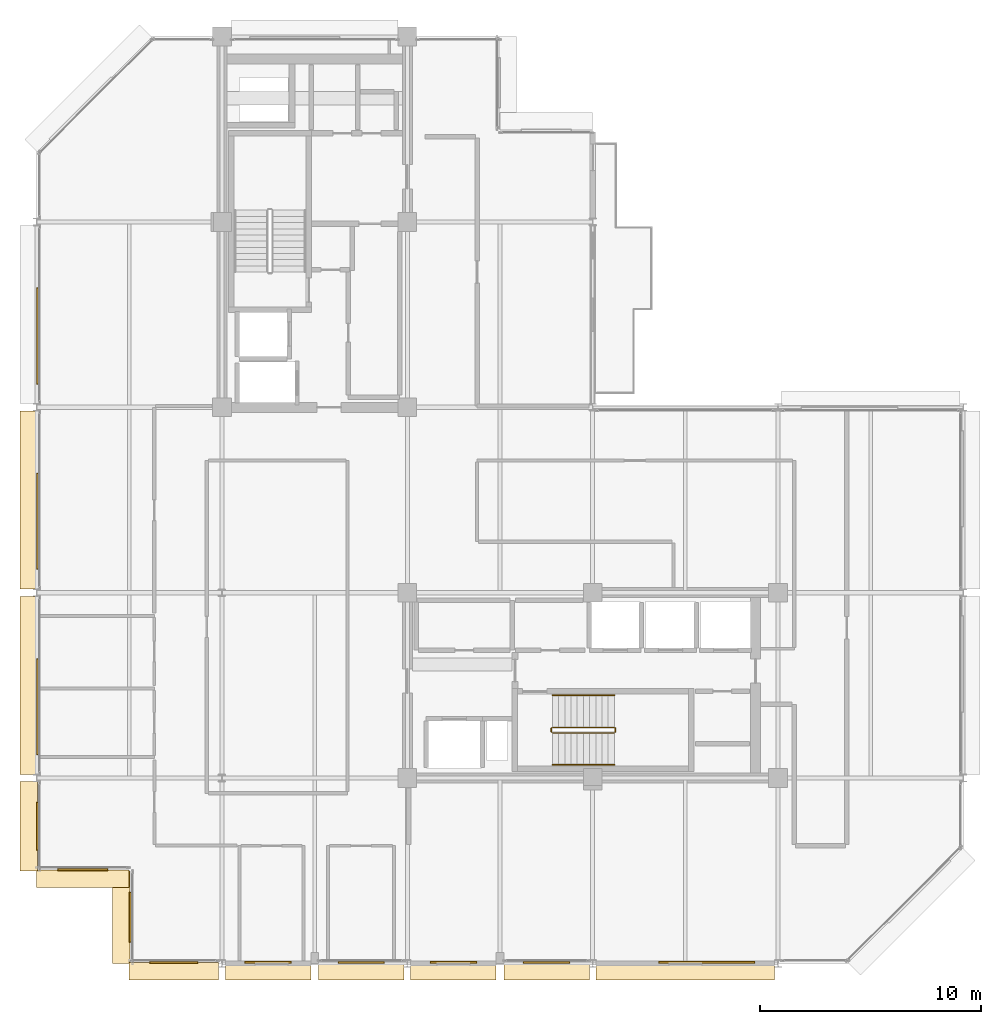
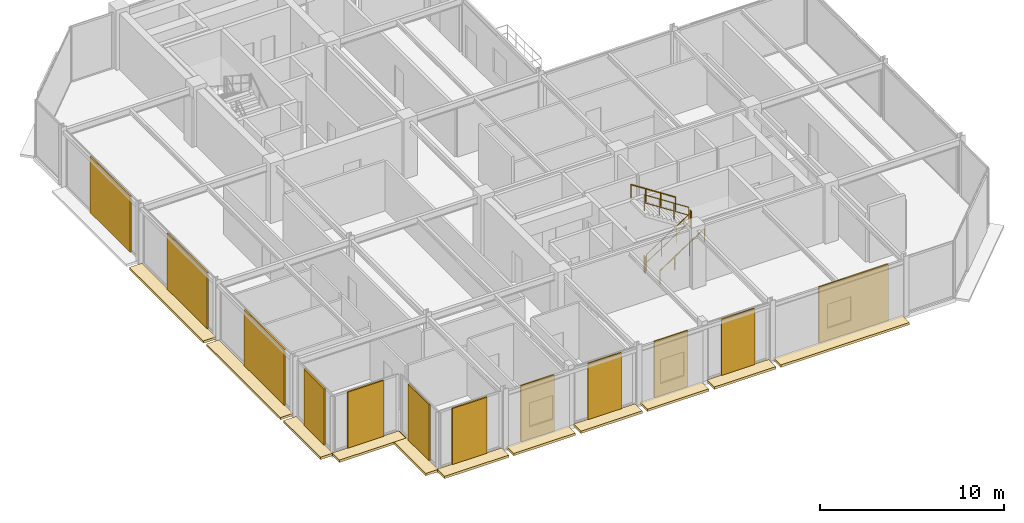
# One storey, part 24 of 27: 23 coverings, 6 railings.
"""IFC4 building model written with IfcOpenShell, lengths in metres."""

from ifc_helpers import new_model, si_unit, direction, frame, origin, origin_2d, place, context, subcontext, project, spatial, polyline, rectangle, circle, outline, extrude, material, layer, layer_set, type_object, element, save


model = new_model("IFC4")

# Units and contexts
model_context = context("Model", 3, precision=1e-05, world=origin(), true_north=direction((0.0, 1.0)))
body_context = subcontext(model_context, "Body", "Model", "MODEL_VIEW")
ifc_project = project(units=[si_unit("LENGTHUNIT", "METRE"), si_unit("AREAUNIT", "SQUARE_METRE"), si_unit("VOLUMEUNIT", "CUBIC_METRE"), si_unit("PLANEANGLEUNIT", "RADIAN"), si_unit("MASSUNIT", "GRAM", prefix="KILO")], contexts=[model_context])

# Site, building, storey
site_placement = place(None, origin())
site = spatial("IfcSite", under=ifc_project, at=site_placement, CompositionType="ELEMENT")
building_placement = place(site_placement, origin())
building = spatial("IfcBuilding", under=site, at=building_placement, Name="Nerrivon Quay Data Exchange", CompositionType="ELEMENT")
storey_placement = place(building_placement, frame((0.0, 0.0, 278.199951171875)))
storey = spatial("IfcBuildingStorey", under=building, at=storey_placement, Name="L66", CompositionType="ELEMENT", Elevation=278.199951171875)

# Coverings
ifc_material_1 = material(Name="Architectural terracotta ceramic", Category="masonry")
ifc_layer_1 = layer(ifc_material_1, 0.159912109375)
ifc_layer_set_1 = layer_set([ifc_layer_1], Name="Architectural terracotta ceramic")
covering_type_1 = type_object("IfcCoveringType", Name="COV-BLD-TERR", PredefinedType="CLADDING", material=ifc_layer_set_1)
covering_1_placement = place(storey_placement, frame((0.0, 0.0, -0.159912109375)))
element("IfcCovering", 1, at=covering_1_placement, inside=storey, type_object=covering_type_1, Name="L66 Horizontal Terracotta SOLAR SCREEN Blade", PredefinedType="CLADDING", context=body_context, shape_type="SweptSolid", body=[
    extrude(outline(polyline([(33.444580078125, 0.0400390625), (25.35546875, 0.0400390625), (25.35546875, -0.75), (33.444580078125, -0.75), (33.444580078125, 0.0400390625)])), origin(), (0.0, 0.0, 1.0), 0.159912109375),
])
covering_2_placement = place(storey_placement, frame((0.0, 0.0, -0.159912109375)))
element("IfcCovering", 2, at=covering_2_placement, inside=storey, type_object=covering_type_1, Name="L66 Horizontal Terracotta SOLAR SCREEN Blade", PredefinedType="CLADDING", context=body_context, shape_type="SweptSolid", body=[
    extrude(outline(polyline([(25.04443359375, 0.0400390625), (21.175048828125, 0.0400390625), (21.175048828125, -0.75), (25.04443359375, -0.75), (25.04443359375, 0.0400390625)])), origin(), (0.0, 0.0, 1.0), 0.159912109375),
])
covering_3_placement = place(storey_placement, frame((0.0, 0.0, -0.159912109375)))
element("IfcCovering", 3, at=covering_3_placement, inside=storey, type_object=covering_type_1, Name="L66 Horizontal Terracotta SOLAR SCREEN Blade", PredefinedType="CLADDING", context=body_context, shape_type="SweptSolid", body=[
    extrude(outline(polyline([(20.824951171875, 0.0400390625), (16.95556640625, 0.0400390625), (16.95556640625, -0.75), (20.824951171875, -0.75), (20.824951171875, 0.0400390625)])), origin(), (0.0, 0.0, 1.0), 0.159912109375),
])
covering_4_placement = place(storey_placement, frame((0.0, 0.0, -0.159912109375)))
element("IfcCovering", 4, at=covering_4_placement, inside=storey, type_object=covering_type_1, Name="L66 Horizontal Terracotta SOLAR SCREEN Blade", PredefinedType="CLADDING", context=body_context, shape_type="SweptSolid", body=[
    extrude(outline(polyline([(16.64453125, 0.0400390625), (12.77490234375, 0.0400390625), (12.77490234375, -0.75), (16.64453125, -0.75), (16.64453125, 0.0400390625)])), origin(), (0.0, 0.0, 1.0), 0.159912109375),
])
covering_5_placement = place(storey_placement, frame((0.0, 0.0, -0.159912109375)))
element("IfcCovering", 5, at=covering_5_placement, inside=storey, type_object=covering_type_1, Name="L66 Horizontal Terracotta SOLAR SCREEN Blade", PredefinedType="CLADDING", context=body_context, shape_type="SweptSolid", body=[
    extrude(outline(polyline([(12.425048828125, 0.0400390625), (8.555419921875, 0.0400390625), (8.555419921875, -0.75), (12.425048828125, -0.75), (12.425048828125, 0.0400390625)])), origin(), (0.0, 0.0, 1.0), 0.159912109375),
])
covering_6_placement = place(storey_placement, frame((0.0, 0.0, -0.159912109375)))
element("IfcCovering", 6, at=covering_6_placement, inside=storey, type_object=covering_type_1, Name="L66 Horizontal Terracotta SOLAR SCREEN Blade", PredefinedType="CLADDING", context=body_context, shape_type="SweptSolid", body=[
    extrude(outline(polyline([(8.244384765625, 0.0400390625), (4.199951171875, 0.0400390625), (4.199951171875, -0.75), (8.244384765625, -0.75), (8.244384765625, 0.0400390625)])), origin(), (0.0, 0.0, 1.0), 0.159912109375),
])
covering_7_placement = place(storey_placement, frame((0.0, 0.0, -0.159912109375)))
element("IfcCovering", 7, at=covering_7_placement, inside=storey, type_object=covering_type_1, Name="L66 Horizontal Terracotta SOLAR SCREEN Blade", PredefinedType="CLADDING", context=body_context, shape_type="SweptSolid", body=[
    extrude(outline(polyline([(4.239990234375, 0.0), (4.239990234375, 4.199951171875), (3.449951171875, 4.199951171875), (3.449951171875, 0.0), (4.239990234375, 0.0)])), origin(), (0.0, 0.0, 1.0), 0.159912109375),
])
covering_8_placement = place(storey_placement, frame((0.0, 0.0, -0.159912109375)))
element("IfcCovering", 8, at=covering_8_placement, inside=storey, type_object=covering_type_1, Name="L66 Horizontal Terracotta SOLAR SCREEN Blade", PredefinedType="CLADDING", context=body_context, shape_type="SweptSolid", body=[
    extrude(outline(polyline([(4.199951171875, 4.239990234375), (0.0, 4.239990234375), (0.0, 3.449951171875), (4.199951171875, 3.449951171875), (4.199951171875, 4.239990234375)])), origin(), (0.0, 0.0, 1.0), 0.159912109375),
])
covering_9_placement = place(storey_placement, frame((0.0, 0.0, -0.159912109375)))
element("IfcCovering", 9, at=covering_9_placement, inside=storey, type_object=covering_type_1, Name="L66 Horizontal Terracotta SOLAR SCREEN Blade", PredefinedType="CLADDING", context=body_context, shape_type="SweptSolid", body=[
    extrude(outline(polyline([(0.0400390625, 4.199951171875), (0.0400390625, 8.236572265625), (-0.75, 8.236572265625), (-0.75, 4.199951171875), (0.0400390625, 4.199951171875)])), origin(), (0.0, 0.0, 1.0), 0.159912109375),
])
covering_10_placement = place(storey_placement, frame((0.0, 0.0, -0.159912109375)))
element("IfcCovering", 10, at=covering_10_placement, inside=storey, type_object=covering_type_1, Name="L66 Horizontal Terracotta SOLAR SCREEN Blade", PredefinedType="CLADDING", context=body_context, shape_type="SweptSolid", body=[
    extrude(outline(polyline([(0.0400390625, 8.5634765625), (0.0400390625, 16.636474609375), (-0.75, 16.636474609375), (-0.75, 8.5634765625), (0.0400390625, 8.5634765625)])), origin(), (0.0, 0.0, 1.0), 0.159912109375),
])
covering_11_placement = place(storey_placement, frame((0.0, 0.0, -0.159912109375)))
element("IfcCovering", 11, at=covering_11_placement, inside=storey, type_object=covering_type_1, Name="L66 Horizontal Terracotta SOLAR SCREEN Blade", PredefinedType="CLADDING", context=body_context, shape_type="SweptSolid", body=[
    extrude(outline(polyline([(0.0400390625, 16.96337890625), (0.0400390625, 25.03662109375), (-0.75, 25.03662109375), (-0.75, 16.96337890625), (0.0400390625, 16.96337890625)])), origin(), (0.0, 0.0, 1.0), 0.159912109375),
])
ifc_layer_2 = layer(ifc_material_1, 0.090087890625)
ifc_layer_set_2 = layer_set([ifc_layer_2], Name="Architectural terracotta ceramic")
covering_type_2 = type_object("IfcCoveringType", Name="COV-SCR-TERR", PredefinedType="CLADDING", material=ifc_layer_set_2)
covering_12_placement = place(storey_placement, frame((30.37060546875, 0.044921875, 0.0), z_axis=(0.0, 0.0, 1.0), x_axis=(-1.0, 0.0, 0.0)))
element("IfcCovering", 12, at=covering_12_placement, inside=storey, type_object=covering_type_2, Name="L66 Perforated Terracotta SOLAR SCREEN Cassette", PredefinedType="CLADDING", context=body_context, shape_type="SweptSolid", body=[
    extrude(rectangle(XDim=4.367919921875, YDim=0.090087890625, at=origin_2d()), origin(), (0.0, 0.0, 1.0), 3.72509765625),
])
for number, where, z_axis, x_axis, name in (
    (13, (23.109619140625, 0.044921875, 0.0), (0.0, 0.0, 1.0), (-1.0, 0.0, 0.0), "L66 Perforated Terracotta SOLAR SCREEN Cassette"),
    (14, (18.890380859375, 0.044921875, 0.0), (0.0, 0.0, 1.0), (-1.0, 0.0, 0.0), "L66 Perforated Terracotta SOLAR SCREEN Cassette"),
    (15, (14.709716796875, 0.044921875, 0.0), (0.0, 0.0, 1.0), (-1.0, 0.0, 0.0), "L66 Perforated Terracotta SOLAR SCREEN Cassette"),
    (16, (10.490234375, 0.044921875, 0.0), (0.0, 0.0, 1.0), (-1.0, 0.0, 0.0), "L66 Perforated Terracotta SOLAR SCREEN Cassette"),
):
    element("IfcCovering", number, at=place(storey_placement, frame(where, z_axis=z_axis, x_axis=x_axis)), inside=storey, type_object=covering_type_2, Name=name, PredefinedType="CLADDING", context=body_context, shape_type="SweptSolid", body=[
        extrude(rectangle(XDim=2.090087890625, YDim=0.090087890625, at=origin_2d()), origin(), (0.0, 0.0, 1.0), 3.72509765625),
    ])
covering_13_placement = place(storey_placement, frame((6.222412109375, 0.044921875, 0.0), z_axis=(0.0, 0.0, 1.0), x_axis=(-1.0, 0.0, 0.0)))
element("IfcCovering", 17, at=covering_13_placement, inside=storey, type_object=covering_type_2, Name="L66 Perforated Terracotta SOLAR SCREEN Cassette", PredefinedType="CLADDING", context=body_context, shape_type="SweptSolid", body=[
    extrude(rectangle(XDim=2.18408203125, YDim=0.090087890625, at=origin_2d()), origin(), (0.0, 0.0, 1.0), 3.72509765625),
])
for number, where, z_axis, x_axis, name in (
    (18, (4.2451171875, 2.10009765625, 0.0), (0.0, 0.0, 1.0), (0.0, 1.0, 0.0), "L66 Perforated Terracotta SOLAR SCREEN Cassette"),
    (19, (2.10009765625, 4.2451171875, 0.0), (0.0, 0.0, 1.0), (-1.0, 0.0, 0.0), "L66 Perforated Terracotta SOLAR SCREEN Cassette"),
):
    element("IfcCovering", number, at=place(storey_placement, frame(where, z_axis=z_axis, x_axis=x_axis)), inside=storey, type_object=covering_type_2, Name=name, PredefinedType="CLADDING", context=body_context, shape_type="SweptSolid", body=[
        extrude(rectangle(XDim=2.26806640625, YDim=0.090087890625, at=origin_2d()), origin(), (0.0, 0.0, 1.0), 3.72509765625),
    ])
covering_14_placement = place(storey_placement, frame((0.044921875, 6.21826171875, 0.0), z_axis=(0.0, 0.0, 1.0), x_axis=(0.0, 1.0, 0.0)))
element("IfcCovering", 20, at=covering_14_placement, inside=storey, type_object=covering_type_2, Name="L66 Perforated Terracotta SOLAR SCREEN Cassette", PredefinedType="CLADDING", context=body_context, shape_type="SweptSolid", body=[
    extrude(rectangle(XDim=2.179931640625, YDim=0.090087890625, at=origin_2d()), origin(), (0.0, 0.0, 1.0), 3.72509765625),
])
for number, where, z_axis, x_axis, name in (
    (21, (0.044921875, 11.631103515625, 0.0), (0.0, 0.0, 1.0), (0.0, 1.0, 0.0), "L66 Perforated Terracotta SOLAR SCREEN Cassette"),
    (22, (0.044921875, 20.03125, 0.0), (0.0, 0.0, 1.0), (0.0, 1.0, 0.0), "L66 Perforated Terracotta SOLAR SCREEN Cassette"),
    (23, (0.044921875, 28.43115234375, 0.0), (0.0, 0.0, 1.0), (0.0, 1.0, 0.0), "L66 Perforated Terracotta SOLAR SCREEN Cassette"),
):
    element("IfcCovering", number, at=place(storey_placement, frame(where, z_axis=z_axis, x_axis=x_axis)), inside=storey, type_object=covering_type_2, Name=name, PredefinedType="CLADDING", context=body_context, shape_type="SweptSolid", body=[
        extrude(rectangle(XDim=4.35888671875, YDim=0.090087890625, at=origin_2d()), origin(), (0.0, 0.0, 1.0), 3.72509765625),
    ])

# Railings
ifc_material_2 = material(Name="Steel Grade C350L0 (350 MPa)", Category="steel")
railing_type_1 = type_object("IfcRailingType", Name="RAIL-HAND-HR1", PredefinedType="HANDRAIL", material=ifc_material_2)
railing_1_placement = place(storey_placement, frame((23.3798828125, 9.0, 0.181884765625)))
element("IfcRailing", 24, at=railing_1_placement, inside=storey, type_object=railing_type_1, Name="L66 ST02 stair handrail 1", PredefinedType="HANDRAIL", context=body_context, shape_type="SweptSolid", body=[
    extrude(circle(Radius=0.02392578125, at=origin_2d()), frame((0.0, 0.0, 0.8759765625), z_axis=(0.838705829183, 0.0, 0.544584733623), x_axis=(0.0, 1.0, 0.0)), (0.0, 0.0, 1.0), 3.338623046875),
    extrude(circle(Radius=0.02099609375, at=origin_2d()), origin(), (0.0, 0.0, 1.0), 0.851806640625),
    extrude(circle(Radius=0.02099609375, at=origin_2d()), frame((0.933349609375, 0.0, 0.60595703125)), (0.0, 0.0, 1.0), 0.851806640625),
    extrude(circle(Radius=0.02099609375, at=origin_2d()), frame((1.86669921875, 0.0, 1.212158203125)), (0.0, 0.0, 1.0), 0.851806640625),
    extrude(circle(Radius=0.02099609375, at=origin_2d()), frame((2.800048828125, 0.0, 1.818115234375)), (0.0, 0.0, 1.0), 0.851806640625),
])
railing_2_placement = place(storey_placement, frame((26.179931640625, 12.14990234375, 2.181884765625)))
element("IfcRailing", 25, at=railing_2_placement, inside=storey, type_object=railing_type_1, Name="L66 ST02 stair handrail 2", PredefinedType="HANDRAIL", context=body_context, shape_type="SweptSolid", body=[
    extrude(circle(Radius=0.02392578125, at=origin_2d()), frame((0.0, 0.0, 0.8759765625), z_axis=(-0.838705829183, 0.0, 0.544584733623), x_axis=(0.0, -1.0, 0.0)), (0.0, 0.0, 1.0), 3.338623046875),
    extrude(circle(Radius=0.02099609375, at=origin_2d()), origin(), (0.0, 0.0, 1.0), 0.851806640625),
    extrude(circle(Radius=0.02099609375, at=origin_2d()), frame((-0.933349609375, 0.0, 0.60595703125)), (0.0, 0.0, 1.0), 0.851806640625),
    extrude(circle(Radius=0.02099609375, at=origin_2d()), frame((-1.86669921875, 0.0, 1.212158203125)), (0.0, 0.0, 1.0), 0.851806640625),
    extrude(circle(Radius=0.02099609375, at=origin_2d()), frame((-2.800048828125, 0.0, 1.818115234375)), (0.0, 0.0, 1.0), 0.851806640625),
])
railing_type_2 = type_object("IfcRailingType", Name="RAIL-STAIR-GR1", PredefinedType="BALUSTRADE", material=ifc_material_2)
railing_3_placement = place(storey_placement, frame((23.3798828125, 10.449951171875, 0.181884765625)))
element("IfcRailing", 26, at=railing_3_placement, inside=storey, type_object=railing_type_2, Name="L66 ST02 stair guard 1", PredefinedType="BALUSTRADE", context=body_context, shape_type="SweptSolid", body=[
    extrude(circle(Radius=0.02392578125, at=origin_2d()), frame((0.0, 0.0, 1.076171875), z_axis=(0.838705829183, 0.0, 0.544584733623), x_axis=(0.0, 1.0, 0.0)), (0.0, 0.0, 1.0), 3.338623046875),
    extrude(circle(Radius=0.02392578125, at=origin_2d()), frame((0.0, 0.0, 0.550048828125), z_axis=(0.838705829183, 0.0, 0.544584733623), x_axis=(0.0, 1.0, 0.0)), (0.0, 0.0, 1.0), 3.338623046875),
    extrude(circle(Radius=0.02099609375, at=origin_2d()), origin(), (0.0, 0.0, 1.0), 1.052001953125),
    extrude(circle(Radius=0.02099609375, at=origin_2d()), frame((0.933349609375, 0.0, 0.60595703125)), (0.0, 0.0, 1.0), 1.052001953125),
    extrude(circle(Radius=0.02099609375, at=origin_2d()), frame((1.86669921875, 0.0, 1.212158203125)), (0.0, 0.0, 1.0), 1.052001953125),
    extrude(circle(Radius=0.02099609375, at=origin_2d()), frame((2.800048828125, 0.0, 1.818115234375)), (0.0, 0.0, 1.0), 1.052001953125),
])
railing_4_placement = place(storey_placement, frame((26.22998046875, 10.5, 2.0)))
element("IfcRailing", 27, at=railing_4_placement, inside=storey, type_object=railing_type_2, Name="L66 ST02 stair guard 2", PredefinedType="BALUSTRADE", context=body_context, shape_type="SweptSolid", body=[
    extrude(circle(Radius=0.02392578125, at=origin_2d()), frame((0.0, 0.0, 1.076171875), z_axis=(0.0, 1.0, 0.0), x_axis=(-1.0, 0.0, 0.0)), (0.0, 0.0, 1.0), 0.14990234375),
    extrude(circle(Radius=0.02392578125, at=origin_2d()), frame((0.0, 0.0, 0.550048828125), z_axis=(0.0, 1.0, 0.0), x_axis=(-1.0, 0.0, 0.0)), (0.0, 0.0, 1.0), 0.14990234375),
    extrude(circle(Radius=0.02099609375, at=origin_2d()), origin(), (0.0, 0.0, 1.0), 1.052001953125),
    extrude(circle(Radius=0.02099609375, at=origin_2d()), frame((0.0, 0.14990234375, 0.0)), (0.0, 0.0, 1.0), 1.052001953125),
])
railing_5_placement = place(storey_placement, frame((26.179931640625, 10.699951171875, 2.181884765625)))
element("IfcRailing", 28, at=railing_5_placement, inside=storey, type_object=railing_type_2, Name="L66 ST02 stair guard 3", PredefinedType="BALUSTRADE", context=body_context, shape_type="SweptSolid", body=[
    extrude(circle(Radius=0.02392578125, at=origin_2d()), frame((0.0, 0.0, 1.076171875), z_axis=(-0.838705829183, 0.0, 0.544584733623), x_axis=(0.0, -1.0, 0.0)), (0.0, 0.0, 1.0), 3.338623046875),
    extrude(circle(Radius=0.02392578125, at=origin_2d()), frame((0.0, 0.0, 0.550048828125), z_axis=(-0.838705829183, 0.0, 0.544584733623), x_axis=(0.0, -1.0, 0.0)), (0.0, 0.0, 1.0), 3.338623046875),
    extrude(circle(Radius=0.02099609375, at=origin_2d()), origin(), (0.0, 0.0, 1.0), 1.052001953125),
    extrude(circle(Radius=0.02099609375, at=origin_2d()), frame((-0.933349609375, 0.0, 0.60595703125)), (0.0, 0.0, 1.0), 1.052001953125),
    extrude(circle(Radius=0.02099609375, at=origin_2d()), frame((-1.86669921875, 0.0, 1.212158203125)), (0.0, 0.0, 1.0), 1.052001953125),
    extrude(circle(Radius=0.02099609375, at=origin_2d()), frame((-2.800048828125, 0.0, 1.818115234375)), (0.0, 0.0, 1.0), 1.052001953125),
])
railing_6_placement = place(storey_placement, frame((23.330078125, 10.5, 0.0)))
element("IfcRailing", 29, at=railing_6_placement, inside=storey, type_object=railing_type_2, Name="L66 ST02 stair guard 4", PredefinedType="BALUSTRADE", context=body_context, shape_type="SweptSolid", body=[
    extrude(circle(Radius=0.02392578125, at=origin_2d()), frame((0.0, 0.0, 1.076171875), z_axis=(0.0, 1.0, 0.0), x_axis=(-1.0, 0.0, 0.0)), (0.0, 0.0, 1.0), 0.14990234375),
    extrude(circle(Radius=0.02392578125, at=origin_2d()), frame((0.0, 0.0, 0.550048828125), z_axis=(0.0, 1.0, 0.0), x_axis=(-1.0, 0.0, 0.0)), (0.0, 0.0, 1.0), 0.14990234375),
    extrude(circle(Radius=0.02099609375, at=origin_2d()), origin(), (0.0, 0.0, 1.0), 1.052001953125),
    extrude(circle(Radius=0.02099609375, at=origin_2d()), frame((0.0, 0.14990234375, 0.0)), (0.0, 0.0, 1.0), 1.052001953125),
])

save(model, "model.ifc")
